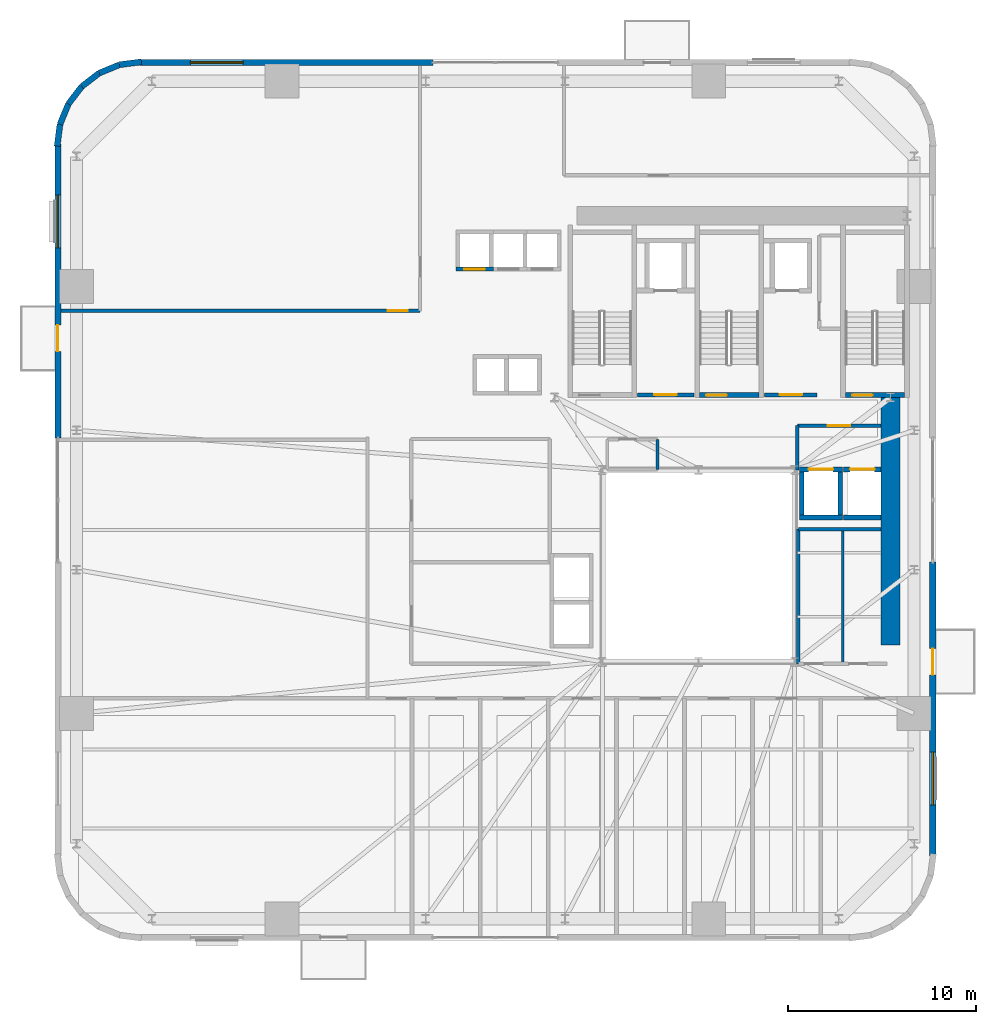
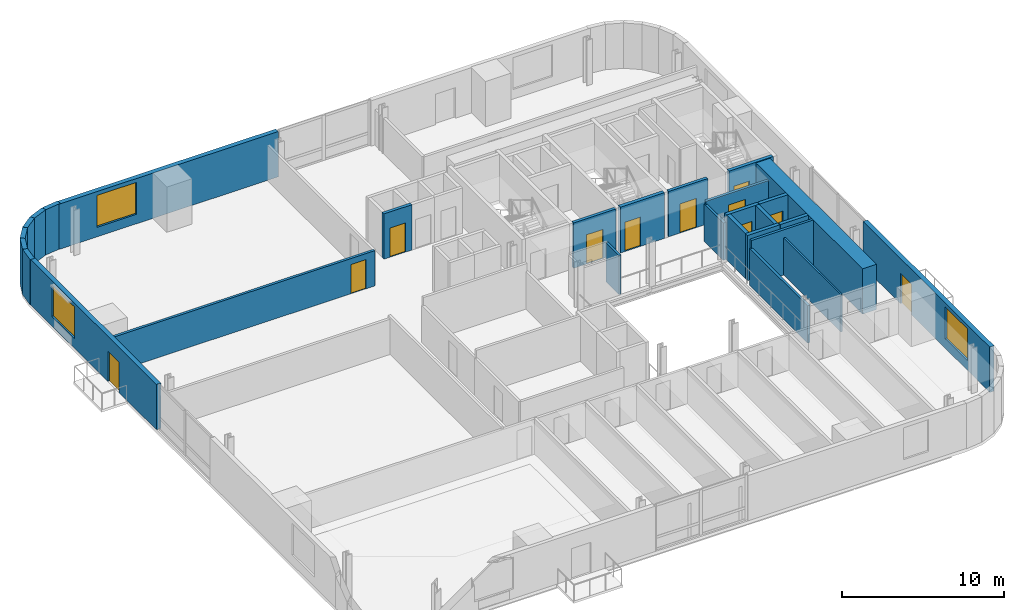
# One storey, part 7 of 13: 28 walls, 11 doors, 3 windows, 14 openings.
"""IFC4 building model written with IfcOpenShell, lengths in metres."""

from ifc_helpers import new_model, si_unit, direction, frame, frame_2d, origin, place, context, subcontext, project, spatial, rectangle, extrude, source, transform, mapped, material, layer, layer_set, type_object, element, fill, save


model = new_model("IFC4")

# Units and contexts
model_context = context("Model", 3, precision=1e-05, world=origin(), true_north=direction((0.0, 1.0)))
body_context = subcontext(model_context, "Body", "Model", "MODEL_VIEW")
ifc_project = project(units=[si_unit("LENGTHUNIT", "METRE"), si_unit("AREAUNIT", "SQUARE_METRE"), si_unit("VOLUMEUNIT", "CUBIC_METRE"), si_unit("PLANEANGLEUNIT", "RADIAN"), si_unit("MASSUNIT", "GRAM", prefix="KILO")], contexts=[model_context])

# Site, building, storey
site_placement = place(None, origin())
site = spatial("IfcSite", under=ifc_project, at=site_placement, CompositionType="ELEMENT")
building_placement = place(site_placement, origin())
building = spatial("IfcBuilding", under=site, at=building_placement, Name="Vardaveli Station Tower", CompositionType="ELEMENT")
storey_placement = place(building_placement, frame((0.0, 0.0, 64.10009765625)))
storey = spatial("IfcBuildingStorey", under=building, at=storey_placement, Name="L16", CompositionType="ELEMENT", Elevation=64.10009765625)

# Wall
ifc_material_1 = material(Name="Concrete C60/75", Category="concrete")
ifc_layer_1 = layer(ifc_material_1, 1.0, Name="Concrete C60/75")
ifc_layer_set_1 = layer_set([ifc_layer_1], Name="Concrete C60/75")
wall_type_1 = type_object("IfcWallType", Name="WAL-CORE-1000", PredefinedType="SHEAR", material=ifc_layer_set_1)
shared_shape_1 = source(origin(), body_context, "Body", "SweptSolid", [
    extrude(rectangle(XDim=13.14990234375, YDim=1.0, at=frame_2d((6.574951171875, 0.0))), origin(), (0.0, 0.0, 1.0), 3.409912109375),
])
wall_1_placement = place(storey_placement, frame((46.5, 17.5, 0.0), z_axis=(0.0, 0.0, 1.0), x_axis=(0.0, 1.0, 0.0)))
element("IfcWall", 1, at=wall_1_placement, inside=storey, type_object=wall_type_1, Name="SW-L16-EAST2", PredefinedType="SHEAR", context=body_context, shape_type="MappedRepresentation", body=[
    mapped(shared_shape_1, transform((0.0, 0.0, 0.0), scale=1.0)),
])

# Wall, opening, window
ifc_material_2 = material(Name="Precast concrete C45/55", Category="concrete")
ifc_layer_2 = layer(ifc_material_2, 0.320068359375, Name="Precast concrete C45/55")
ifc_layer_set_2 = layer_set([ifc_layer_2], Name="Precast concrete C45/55")
wall_type_2 = type_object("IfcWallType", Name="WAL-EXT-STONE-320", PredefinedType="SOLIDWALL", material=ifc_layer_set_2)
shared_shape_2 = source(origin(), body_context, "Body", "SweptSolid", [
    extrude(rectangle(XDim=15.599853515625, YDim=0.320068359375, at=frame_2d((7.7998046875, 0.0))), origin(), (0.0, 0.0, 1.0), 3.409912109375),
])
wall_2_placement = place(storey_placement, frame((22.199951171875, 48.43994140625, 0.0), z_axis=(0.0, 0.0, 1.0), x_axis=(-1.0, 0.0, 0.0)))
wall_2 = element("IfcWall", 2, at=wall_2_placement, inside=storey, type_object=wall_type_2, Name="EW-L16-N2", PredefinedType="SOLIDWALL", context=body_context, shape_type="MappedRepresentation", body=[
    mapped(shared_shape_2, transform((0.0, 0.0, 0.0), scale=1.0)),
])
shared_shape_3 = source(origin(), body_context, "Body", "SweptSolid", [
    extrude(rectangle(XDim=2.800048828125, YDim=2.39990234375, at=frame_2d((1.39990234375, 1.199951171875))), frame((0.0, 0.169921875, 0.0), z_axis=(0.0, -1.0, 0.0), x_axis=(1.0, 0.0, 0.0)), (0.0, 0.0, 1.0), 0.340087890625),
])
opening_1_placement = place(wall_2_placement, frame((10.094970703125, 0.0, 0.719970703125)))
opening_1 = element("IfcOpeningElement", 3, at=opening_1_placement, cuts=wall_2, Name="Opening W-04", PredefinedType="OPENING", context=body_context, shape_type="MappedRepresentation", body=[
    mapped(shared_shape_3, transform((0.0, 0.0, 0.0), scale=1.0)),
])
ifc_material_3 = material(Name="Low-E solar-control glass", Category="glass")
window_type = type_object("IfcWindowType", Name="WIN-SUITE-2800x2400", PartitioningType="SINGLE_PANEL", PredefinedType="WINDOW", material=ifc_material_3)
shared_shape_4 = source(origin(), body_context, "Body", "SweptSolid", [
    extrude(rectangle(XDim=2.800048828125, YDim=2.39990234375, at=frame_2d((1.39990234375, 1.199951171875))), frame((0.0, 0.030029296875, 0.0), z_axis=(0.0, -1.0, 0.0), x_axis=(1.0, 0.0, 0.0)), (0.0, 0.0, 1.0), 0.06005859375),
])
window_1_placement = place(opening_1_placement, origin())
window_1 = element("IfcWindow", 4, at=window_1_placement, inside=storey, type_object=window_type, Name="WN-L16-N2", OverallHeight=2.39990234375, OverallWidth=2.800048828125, PartitioningType="SINGLE_PANEL", PredefinedType="WINDOW", context=body_context, shape_type="MappedRepresentation", body=[
    mapped(shared_shape_4, transform((0.0, 0.0, 0.0), scale=1.0)),
])
fill(opening_1, window_1)

# Wall, openings, door, window
wall_3_placement = place(storey_placement, frame((48.739990234375, 6.300048828125, 0.0), z_axis=(0.0, 0.0, 1.0), x_axis=(0.0, 1.0, 0.0)))
wall_3 = element("IfcWall", 5, at=wall_3_placement, inside=storey, type_object=wall_type_2, Name="EW-L16-E1", PredefinedType="SOLIDWALL", context=body_context, shape_type="MappedRepresentation", body=[
    mapped(shared_shape_2, transform((0.0, 0.0, 0.0), scale=1.0)),
])
shared_shape_5 = source(origin(), body_context, "Body", "SweptSolid", [
    extrude(rectangle(XDim=1.39990234375, YDim=2.300048828125, at=frame_2d((0.699951171875, 1.14990234375))), frame((0.0, 0.169921875, 0.0), z_axis=(0.0, -1.0, 0.0), x_axis=(1.0, 0.0, 0.0)), (0.0, 0.0, 1.0), 0.340087890625),
])
opening_2_placement = place(wall_3_placement, frame((9.6103515625, 0.0, 0.0)))
opening_2 = element("IfcOpeningElement", 6, at=opening_2_placement, cuts=wall_3, Name="Opening D-09", PredefinedType="OPENING", context=body_context, shape_type="MappedRepresentation", body=[
    mapped(shared_shape_5, transform((0.0, 0.0, 0.0), scale=1.0)),
])
opening_3_placement = place(wall_3_placement, frame((2.705078125, 0.0, 0.719970703125)))
opening_3 = element("IfcOpeningElement", 7, at=opening_3_placement, cuts=wall_3, Name="Opening W-04", PredefinedType="OPENING", context=body_context, shape_type="MappedRepresentation", body=[
    mapped(shared_shape_3, transform((0.0, 0.0, 0.0), scale=1.0)),
])
ifc_material_4 = material(Name="Thermally broken aluminium glass", Category="aluminium")
door_type_1 = type_object("IfcDoorType", Name="DR-LOG-1400x2300", OperationType="DOUBLE_DOOR_SLIDING", PredefinedType="DOOR", material=ifc_material_4)
shared_shape_6 = source(origin(), body_context, "Body", "SweptSolid", [
    extrude(rectangle(XDim=1.39990234375, YDim=2.300048828125, at=frame_2d((0.699951171875, 1.14990234375))), frame((0.0, 0.02490234375, 0.0), z_axis=(0.0, -1.0, 0.0), x_axis=(1.0, 0.0, 0.0)), (0.0, 0.0, 1.0), 0.050048828125),
])
door_1_placement = place(opening_2_placement, frame((1.39990234375, 0.0, 0.0), z_axis=(0.0, 0.0, 1.0), x_axis=(-1.0, 0.0, 0.0)))
door_1 = element("IfcDoor", 8, at=door_1_placement, inside=storey, type_object=door_type_1, Name="DLG-L16-E", OperationType="DOUBLE_DOOR_SLIDING", OverallHeight=2.300048828125, OverallWidth=1.39990234375, PredefinedType="DOOR", context=body_context, shape_type="MappedRepresentation", body=[
    mapped(shared_shape_6, transform((0.0, 0.0, 0.0), scale=1.0)),
])
fill(opening_2, door_1)
window_2_placement = place(opening_3_placement, origin())
window_2 = element("IfcWindow", 9, at=window_2_placement, inside=storey, type_object=window_type, Name="WN-L16-E1", OverallHeight=2.39990234375, OverallWidth=2.800048828125, PartitioningType="SINGLE_PANEL", PredefinedType="WINDOW", context=body_context, shape_type="MappedRepresentation", body=[
    mapped(shared_shape_4, transform((0.0, 0.0, 0.0), scale=1.0)),
])
fill(opening_3, window_2)

shared_shape_7 = source(origin(), body_context, "Body", "SweptSolid", [
    extrude(rectangle(XDim=15.60009765625, YDim=0.320068359375, at=frame_2d((7.800048828125, 0.0))), origin(), (0.0, 0.0, 1.0), 3.409912109375),
])
wall_4_placement = place(storey_placement, frame((2.260009765625, 44.10009765625, 0.0), z_axis=(0.0, 0.0, 1.0), x_axis=(0.0, -1.0, 0.0)))
wall_4 = element("IfcWall", 10, at=wall_4_placement, inside=storey, type_object=wall_type_2, Name="EW-L16-W1", PredefinedType="SOLIDWALL", context=body_context, shape_type="MappedRepresentation", body=[
    mapped(shared_shape_7, transform((0.0, 0.0, 0.0), scale=1.0)),
])
opening_4_placement = place(wall_4_placement, frame((9.6103515625, 0.0, 0.0)))
opening_4 = element("IfcOpeningElement", 11, at=opening_4_placement, cuts=wall_4, Name="Opening D-09", PredefinedType="OPENING", context=body_context, shape_type="MappedRepresentation", body=[
    mapped(shared_shape_5, transform((0.0, 0.0, 0.0), scale=1.0)),
])
opening_5_placement = place(wall_4_placement, frame((2.705078125, 0.0, 0.719970703125)))
opening_5 = element("IfcOpeningElement", 12, at=opening_5_placement, cuts=wall_4, Name="Opening W-04", PredefinedType="OPENING", context=body_context, shape_type="MappedRepresentation", body=[
    mapped(shared_shape_3, transform((0.0, 0.0, 0.0), scale=1.0)),
])
door_2_placement = place(opening_4_placement, frame((1.39990234375, 0.0, 0.0), z_axis=(0.0, 0.0, 1.0), x_axis=(-1.0, 0.0, 0.0)))
door_2 = element("IfcDoor", 13, at=door_2_placement, inside=storey, type_object=door_type_1, Name="DLG-L16-W", OperationType="DOUBLE_DOOR_SLIDING", OverallHeight=2.300048828125, OverallWidth=1.39990234375, PredefinedType="DOOR", context=body_context, shape_type="MappedRepresentation", body=[
    mapped(shared_shape_6, transform((0.0, 0.0, 0.0), scale=1.0)),
])
fill(opening_4, door_2)
window_3_placement = place(opening_5_placement, origin())
window_3 = element("IfcWindow", 14, at=window_3_placement, inside=storey, type_object=window_type, Name="WN-L16-W1", OverallHeight=2.39990234375, OverallWidth=2.800048828125, PartitioningType="SINGLE_PANEL", PredefinedType="WINDOW", context=body_context, shape_type="MappedRepresentation", body=[
    mapped(shared_shape_4, transform((0.0, 0.0, 0.0), scale=1.0)),
])
fill(opening_5, window_3)

# Walls
shared_shape_8 = source(origin(), body_context, "Body", "SweptSolid", [
    extrude(rectangle(XDim=1.1689453125, YDim=0.320068359375, at=frame_2d((0.58447265625, 0.0))), origin(), (0.0, 0.0, 1.0), 3.409912109375),
])
wall_5_placement = place(storey_placement, frame((3.53125, 47.1689453125, 0.0), z_axis=(0.0, 0.0, 1.0), x_axis=(-0.608387696831, -0.793639975269, 0.0)))
element("IfcWall", 15, at=wall_5_placement, inside=storey, type_object=wall_type_2, Name="EW-L16-CR4-4", PredefinedType="SOLIDWALL", context=body_context, shape_type="MappedRepresentation", body=[
    mapped(shared_shape_8, transform((0.0, 0.0, 0.0), scale=1.0)),
])
shared_shape_9 = source(origin(), body_context, "Body", "SweptSolid", [
    extrude(rectangle(XDim=1.168701171875, YDim=0.320068359375, at=frame_2d((0.58447265625, 0.0))), origin(), (0.0, 0.0, 1.0), 3.409912109375),
])
wall_6_placement = place(storey_placement, frame((4.458740234375, 47.8798828125, 0.0), z_axis=(0.0, 0.0, 1.0), x_axis=(-0.793663520347, -0.608356981114, 0.0)))
element("IfcWall", 16, at=wall_6_placement, inside=storey, type_object=wall_type_2, Name="EW-L16-CR4-3", PredefinedType="SOLIDWALL", context=body_context, shape_type="MappedRepresentation", body=[
    mapped(shared_shape_9, transform((0.0, 0.0, 0.0), scale=1.0)),
])
shared_shape_10 = source(origin(), body_context, "Body", "SweptSolid", [
    extrude(rectangle(XDim=1.17041015625, YDim=0.320068359375, at=frame_2d((0.585205078125, 0.0))), origin(), (0.0, 0.0, 1.0), 3.409912109375),
])
for number, where, z_axis, x_axis, name in (
    (17, (6.700439453125, 48.4755859375, 0.0), (0.0, 0.0, 1.0), (-0.991735963317, -0.128295670475, 0.0), "EW-L16-CR4-1"),
    (18, (2.37451171875, 45.16015625, 0.0), (0.0, 0.0, 1.0), (-0.128295670475, -0.991735963317, 0.0), "EW-L16-CR4-6"),
):
    element("IfcWall", number, at=place(storey_placement, frame(where, z_axis=z_axis, x_axis=x_axis)), inside=storey, type_object=wall_type_2, Name=name, PredefinedType="SOLIDWALL", context=body_context, shape_type="MappedRepresentation", body=[
        mapped(shared_shape_10, transform((0.0, 0.0, 0.0), scale=1.0)),
    ])
shared_shape_11 = source(origin(), body_context, "Body", "SweptSolid", [
    extrude(rectangle(XDim=1.169189453125, YDim=0.320068359375, at=frame_2d((0.58447265625, 0.0))), origin(), (0.0, 0.0, 1.0), 3.409912109375),
])
for number, where, z_axis, x_axis, name in (
    (19, (5.539794921875, 48.325439453125, 0.0), (0.0, 0.0, 1.0), (-0.924552646638, -0.381054331552, 0.0), "EW-L16-CR4-2"),
    (20, (2.820068359375, 46.2412109375, 0.0), (0.0, 0.0, 1.0), (-0.381054331552, -0.924552646638, 0.0), "EW-L16-CR4-5"),
):
    element("IfcWall", number, at=place(storey_placement, frame(where, z_axis=z_axis, x_axis=x_axis)), inside=storey, type_object=wall_type_2, Name=name, PredefinedType="SOLIDWALL", context=body_context, shape_type="MappedRepresentation", body=[
        mapped(shared_shape_11, transform((0.0, 0.0, 0.0), scale=1.0)),
    ])

# Wall, opening, door
ifc_material_5 = material(Name="Concrete C40/50", Category="concrete")
ifc_layer_3 = layer(ifc_material_5, 0.25, Name="Concrete C40/50")
ifc_layer_set_3 = layer_set([ifc_layer_3], Name="Concrete C40/50")
wall_type_3 = type_object("IfcWallType", Name="WAL-SHAFT-250", PredefinedType="SOLIDWALL", material=ifc_layer_set_3)
shared_shape_12 = source(origin(), body_context, "Body", "SweptSolid", [
    extrude(rectangle(XDim=3.14990234375, YDim=0.25, at=frame_2d((1.574951171875, 0.0))), origin(), (0.0, 0.0, 1.0), 3.449951171875),
])
wall_7_placement = place(storey_placement, frame((36.35009765625, 30.77490234375, 0.0), z_axis=(0.0, 0.0, 1.0), x_axis=(1.0, 0.0, 0.0)))
wall_7 = element("IfcWall", 21, at=wall_7_placement, inside=storey, type_object=wall_type_3, Name="W-L16-ST-2S", PredefinedType="SOLIDWALL", context=body_context, shape_type="MappedRepresentation", body=[
    mapped(shared_shape_12, transform((0.0, 0.0, 0.0), scale=1.0)),
])
shared_shape_13 = source(origin(), body_context, "Body", "SweptSolid", [
    extrude(rectangle(XDim=1.10009765625, YDim=2.199951171875, at=frame_2d((0.550048828125, 1.10009765625))), frame((0.0, 0.135009765625, 0.0), z_axis=(0.0, -1.0, 0.0), x_axis=(1.0, 0.0, 0.0)), (0.0, 0.0, 1.0), 0.27001953125),
])
opening_6_placement = place(wall_7_placement, frame((0.35009765625, 0.0, 0.0)))
opening_6 = element("IfcOpeningElement", 22, at=opening_6_placement, cuts=wall_7, Name="Opening D-04", PredefinedType="OPENING", context=body_context, shape_type="MappedRepresentation", body=[
    mapped(shared_shape_13, transform((0.0, 0.0, 0.0), scale=1.0)),
])
ifc_material_6 = material(Name="Steel smokeproof fire doorset", Category="steel")
door_type_2 = type_object("IfcDoorType", Name="DR-ST-1100x2200", OperationType="NOTDEFINED", PredefinedType="DOOR", material=ifc_material_6)
shared_shape_14 = source(origin(), body_context, "Body", "SweptSolid", [
    extrude(rectangle(XDim=1.10009765625, YDim=2.199951171875, at=frame_2d((0.550048828125, 1.10009765625))), frame((0.0, 0.02490234375, 0.0), z_axis=(0.0, -1.0, 0.0), x_axis=(1.0, 0.0, 0.0)), (0.0, 0.0, 1.0), 0.050048828125),
])
door_3_placement = place(opening_6_placement, origin())
door_3 = element("IfcDoor", 23, at=door_3_placement, inside=storey, type_object=door_type_2, Name="DST-2-L16", OperationType="SINGLE_SWING_LEFT", OverallHeight=2.199951171875, OverallWidth=1.10009765625, PredefinedType="DOOR", context=body_context, shape_type="MappedRepresentation", body=[
    mapped(shared_shape_14, transform((0.0, 0.0, 0.0), scale=1.0)),
])
fill(opening_6, door_3)

wall_8_placement = place(storey_placement, frame((44.10009765625, 30.77490234375, 0.0), z_axis=(0.0, 0.0, 1.0), x_axis=(1.0, 0.0, 0.0)))
wall_8 = element("IfcWall", 24, at=wall_8_placement, inside=storey, type_object=wall_type_3, Name="W-L16-ST-3S", PredefinedType="SOLIDWALL", context=body_context, shape_type="MappedRepresentation", body=[
    mapped(shared_shape_12, transform((0.0, 0.0, 0.0), scale=1.0)),
])
opening_7_placement = place(wall_8_placement, frame((0.35009765625, 0.0, 0.0)))
opening_7 = element("IfcOpeningElement", 25, at=opening_7_placement, cuts=wall_8, Name="Opening D-04", PredefinedType="OPENING", context=body_context, shape_type="MappedRepresentation", body=[
    mapped(shared_shape_13, transform((0.0, 0.0, 0.0), scale=1.0)),
])
door_4_placement = place(opening_7_placement, origin())
door_4 = element("IfcDoor", 26, at=door_4_placement, inside=storey, type_object=door_type_2, Name="DST-3-L16", OperationType="SINGLE_SWING_LEFT", OverallHeight=2.199951171875, OverallWidth=1.10009765625, PredefinedType="DOOR", context=body_context, shape_type="MappedRepresentation", body=[
    mapped(shared_shape_14, transform((0.0, 0.0, 0.0), scale=1.0)),
])
fill(opening_7, door_4)

ifc_layer_4 = layer(ifc_material_5, 0.219970703125, Name="Concrete C40/50")
ifc_layer_set_4 = layer_set([ifc_layer_4], Name="Concrete C40/50")
wall_type_4 = type_object("IfcWallType", Name="WAL-FFLOBBY-220", PredefinedType="SOLIDWALL", material=ifc_layer_set_4)
shared_shape_15 = source(origin(), body_context, "Body", "SweptSolid", [
    extrude(rectangle(XDim=3.0, YDim=0.219970703125, at=frame_2d((1.5, 0.0))), origin(), (0.0, 0.0, 1.0), 3.409912109375),
])
wall_9_placement = place(storey_placement, frame((33.050048828125, 30.780029296875, 0.0), z_axis=(0.0, 0.0, 1.0), x_axis=(1.0, 0.0, 0.0)))
wall_9 = element("IfcWall", 27, at=wall_9_placement, inside=storey, type_object=wall_type_4, Name="W-L16-FFL1S", PredefinedType="SOLIDWALL", context=body_context, shape_type="MappedRepresentation", body=[
    mapped(shared_shape_15, transform((0.0, 0.0, 0.0), scale=1.0)),
])
shared_shape_16 = source(origin(), body_context, "Body", "SweptSolid", [
    extrude(rectangle(XDim=1.199951171875, YDim=2.199951171875, at=frame_2d((0.60009765625, 1.10009765625))), frame((0.0, 0.1201171875, 0.0), z_axis=(0.0, -1.0, 0.0), x_axis=(1.0, 0.0, 0.0)), (0.0, 0.0, 1.0), 0.239990234375),
])
opening_8_placement = place(wall_9_placement, frame((0.89990234375, 0.0, 0.0)))
opening_8 = element("IfcOpeningElement", 28, at=opening_8_placement, cuts=wall_9, Name="Opening D-03", PredefinedType="OPENING", context=body_context, shape_type="MappedRepresentation", body=[
    mapped(shared_shape_16, transform((0.0, 0.0, 0.0), scale=1.0)),
])
door_type_3 = type_object("IfcDoorType", Name="DR-FFL-1200x2200", OperationType="NOTDEFINED", PredefinedType="DOOR", material=ifc_material_6)
shared_shape_17 = source(origin(), body_context, "Body", "SweptSolid", [
    extrude(rectangle(XDim=1.199951171875, YDim=2.199951171875, at=frame_2d((0.60009765625, 1.10009765625))), frame((0.0, 0.02490234375, 0.0), z_axis=(0.0, -1.0, 0.0), x_axis=(1.0, 0.0, 0.0)), (0.0, 0.0, 1.0), 0.050048828125),
])
door_5_placement = place(opening_8_placement, origin())
door_5 = element("IfcDoor", 29, at=door_5_placement, inside=storey, type_object=door_type_3, Name="DFFL1-L16", OperationType="SINGLE_SWING_LEFT", OverallHeight=2.199951171875, OverallWidth=1.199951171875, PredefinedType="DOOR", context=body_context, shape_type="MappedRepresentation", body=[
    mapped(shared_shape_17, transform((0.0, 0.0, 0.0), scale=1.0)),
])
fill(opening_8, door_5)

shared_shape_18 = source(origin(), body_context, "Body", "SweptSolid", [
    extrude(rectangle(XDim=2.800048828125, YDim=0.219970703125, at=frame_2d((1.39990234375, 0.0))), origin(), (0.0, 0.0, 1.0), 3.409912109375),
])
wall_10_placement = place(storey_placement, frame((39.800048828125, 30.780029296875, 0.0), z_axis=(0.0, 0.0, 1.0), x_axis=(1.0, 0.0, 0.0)))
wall_10 = element("IfcWall", 30, at=wall_10_placement, inside=storey, type_object=wall_type_4, Name="W-L16-FFL2S", PredefinedType="SOLIDWALL", context=body_context, shape_type="MappedRepresentation", body=[
    mapped(shared_shape_18, transform((0.0, 0.0, 0.0), scale=1.0)),
])
opening_9_placement = place(wall_10_placement, frame((0.800048828125, 0.0, 0.0)))
opening_9 = element("IfcOpeningElement", 31, at=opening_9_placement, cuts=wall_10, Name="Opening D-03", PredefinedType="OPENING", context=body_context, shape_type="MappedRepresentation", body=[
    mapped(shared_shape_16, transform((0.0, 0.0, 0.0), scale=1.0)),
])
door_6_placement = place(opening_9_placement, origin())
door_6 = element("IfcDoor", 32, at=door_6_placement, inside=storey, type_object=door_type_3, Name="DFFL2-L16", OperationType="SINGLE_SWING_RIGHT", OverallHeight=2.199951171875, OverallWidth=1.199951171875, PredefinedType="DOOR", context=body_context, shape_type="MappedRepresentation", body=[
    mapped(shared_shape_17, transform((0.0, 0.0, 0.0), scale=1.0)),
])
fill(opening_9, door_6)

shared_shape_19 = source(origin(), body_context, "Body", "SweptSolid", [
    extrude(rectangle(XDim=1.989990234375, YDim=0.219970703125, at=frame_2d((0.9951171875, 0.0))), origin(), (0.0, 0.0, 1.0), 3.409912109375),
])
wall_11_placement = place(storey_placement, frame((23.405029296875, 37.465087890625, 0.0), z_axis=(0.0, 0.0, 1.0), x_axis=(1.0, 0.0, 0.0)))
wall_11 = element("IfcWall", 33, at=wall_11_placement, inside=storey, type_object=wall_type_4, Name="SHW-HL1-01-L16-S", PredefinedType="SOLIDWALL", context=body_context, shape_type="MappedRepresentation", body=[
    mapped(shared_shape_19, transform((0.0, 0.0, 0.0), scale=1.0)),
])
shared_shape_20 = source(origin(), body_context, "Body", "SweptSolid", [
    extrude(rectangle(XDim=1.10009765625, YDim=2.199951171875, at=frame_2d((0.550048828125, 1.10009765625))), frame((0.0, 0.1201171875, 0.0), z_axis=(0.0, -1.0, 0.0), x_axis=(1.0, 0.0, 0.0)), (0.0, 0.0, 1.0), 0.239990234375),
])
opening_10_placement = place(wall_11_placement, frame((0.445068359375, 0.0, 0.0)))
opening_10 = element("IfcOpeningElement", 34, at=opening_10_placement, cuts=wall_11, Name="Opening LD-01", PredefinedType="OPENING", context=body_context, shape_type="MappedRepresentation", body=[
    mapped(shared_shape_20, transform((0.0, 0.0, 0.0), scale=1.0)),
])
ifc_material_7 = material(Name="Brushed stainless steel", Category="steel")
door_type_4 = type_object("IfcDoorType", Name="DR-LD-1100x2200", OperationType="DOUBLE_DOOR_SLIDING", PredefinedType="DOOR", material=ifc_material_7)
door_7_placement = place(opening_10_placement, origin())
door_7 = element("IfcDoor", 35, at=door_7_placement, inside=storey, type_object=door_type_4, Name="LD-HL1-01-L16", OperationType="DOUBLE_DOOR_SLIDING", OverallHeight=2.199951171875, OverallWidth=1.10009765625, PredefinedType="DOOR", context=body_context, shape_type="MappedRepresentation", body=[
    mapped(shared_shape_14, transform((0.0, 0.0, 0.0), scale=1.0)),
])
fill(opening_10, door_7)

# Wall
shared_shape_21 = source(origin(), body_context, "Body", "SweptSolid", [
    extrude(rectangle(XDim=2.300048828125, YDim=0.25, at=frame_2d((1.14990234375, 0.0))), origin(), (0.0, 0.0, 1.0), 3.409912109375),
])
wall_12_placement = place(storey_placement, frame((41.64990234375, 24.27490234375, 0.0), z_axis=(0.0, 0.0, 1.0), x_axis=(1.0, 0.0, 0.0)))
element("IfcWall", 36, at=wall_12_placement, inside=storey, type_object=wall_type_3, Name="SHW-SRV-01-L16-S", PredefinedType="SOLIDWALL", context=body_context, shape_type="MappedRepresentation", body=[
    mapped(shared_shape_21, transform((0.0, 0.0, 0.0), scale=1.0)),
])

# Wall, opening, door
wall_13_placement = place(storey_placement, frame((41.64990234375, 26.824951171875, 0.0), z_axis=(0.0, 0.0, 1.0), x_axis=(1.0, 0.0, 0.0)))
wall_13 = element("IfcWall", 37, at=wall_13_placement, inside=storey, type_object=wall_type_3, Name="SHW-SRV-01-L16-N", PredefinedType="SOLIDWALL", context=body_context, shape_type="MappedRepresentation", body=[
    mapped(shared_shape_21, transform((0.0, 0.0, 0.0), scale=1.0)),
])
shared_shape_22 = source(origin(), body_context, "Body", "SweptSolid", [
    extrude(rectangle(XDim=1.300048828125, YDim=2.300048828125, at=frame_2d((0.64990234375, 1.14990234375))), frame((0.0, 0.135009765625, 0.0), z_axis=(0.0, -1.0, 0.0), x_axis=(1.0, 0.0, 0.0)), (0.0, 0.0, 1.0), 0.27001953125),
])
opening_11_placement = place(wall_13_placement, frame((0.5, 0.0, 0.0)))
opening_11 = element("IfcOpeningElement", 38, at=opening_11_placement, cuts=wall_13, Name="Opening LD-03", PredefinedType="OPENING", context=body_context, shape_type="MappedRepresentation", body=[
    mapped(shared_shape_22, transform((0.0, 0.0, 0.0), scale=1.0)),
])
door_type_5 = type_object("IfcDoorType", Name="DR-LD-1300x2300", OperationType="DOUBLE_DOOR_SLIDING", PredefinedType="DOOR", material=ifc_material_7)
shared_shape_23 = source(origin(), body_context, "Body", "SweptSolid", [
    extrude(rectangle(XDim=1.300048828125, YDim=2.300048828125, at=frame_2d((0.64990234375, 1.14990234375))), frame((0.0, 0.02490234375, 0.0), z_axis=(0.0, -1.0, 0.0), x_axis=(1.0, 0.0, 0.0)), (0.0, 0.0, 1.0), 0.050048828125),
])
door_8_placement = place(opening_11_placement, origin())
door_8 = element("IfcDoor", 39, at=door_8_placement, inside=storey, type_object=door_type_5, Name="LD-SRV-01-L16", OperationType="DOUBLE_DOOR_SLIDING", OverallHeight=2.300048828125, OverallWidth=1.300048828125, PredefinedType="DOOR", context=body_context, shape_type="MappedRepresentation", body=[
    mapped(shared_shape_23, transform((0.0, 0.0, 0.0), scale=1.0)),
])
fill(opening_11, door_8)

# Walls
for number, where, z_axis, x_axis, name in (
    (40, (41.77490234375, 24.39990234375, 0.0), (0.0, 0.0, 1.0), (0.0, 1.0, 0.0), "SHW-SRV-01-L16-W"),
    (41, (43.824951171875, 24.39990234375, 0.0), (0.0, 0.0, 1.0), (0.0, 1.0, 0.0), "SHW-SRV-01-L16-E"),
):
    element("IfcWall", number, at=place(storey_placement, frame(where, z_axis=z_axis, x_axis=x_axis)), inside=storey, type_object=wall_type_3, Name=name, PredefinedType="SOLIDWALL", context=body_context, shape_type="MappedRepresentation", body=[
        mapped(shared_shape_21, transform((0.0, 0.0, 0.0), scale=1.0)),
    ])
shared_shape_24 = source(origin(), body_context, "Body", "SweptSolid", [
    extrude(rectangle(XDim=2.0, YDim=0.25, at=frame_2d((1.0, 0.0))), origin(), (0.0, 0.0, 1.0), 3.409912109375),
])
wall_14_placement = place(storey_placement, frame((44.0, 24.27490234375, 0.0), z_axis=(0.0, 0.0, 1.0), x_axis=(1.0, 0.0, 0.0)))
element("IfcWall", 42, at=wall_14_placement, inside=storey, type_object=wall_type_3, Name="SHW-SRV-02-L16-S", PredefinedType="SOLIDWALL", context=body_context, shape_type="MappedRepresentation", body=[
    mapped(shared_shape_24, transform((0.0, 0.0, 0.0), scale=1.0)),
])

# Wall, opening, door
wall_15_placement = place(storey_placement, frame((44.0, 26.824951171875, 0.0), z_axis=(0.0, 0.0, 1.0), x_axis=(1.0, 0.0, 0.0)))
wall_15 = element("IfcWall", 43, at=wall_15_placement, inside=storey, type_object=wall_type_3, Name="SHW-SRV-02-L16-N", PredefinedType="SOLIDWALL", context=body_context, shape_type="MappedRepresentation", body=[
    mapped(shared_shape_24, transform((0.0, 0.0, 0.0), scale=1.0)),
])
opening_12_placement = place(wall_15_placement, frame((0.35009765625, 0.0, 0.0)))
opening_12 = element("IfcOpeningElement", 44, at=opening_12_placement, cuts=wall_15, Name="Opening LD-03", PredefinedType="OPENING", context=body_context, shape_type="MappedRepresentation", body=[
    mapped(shared_shape_22, transform((0.0, 0.0, 0.0), scale=1.0)),
])
door_9_placement = place(opening_12_placement, origin())
door_9 = element("IfcDoor", 45, at=door_9_placement, inside=storey, type_object=door_type_5, Name="LD-SRV-02-L16", OperationType="DOUBLE_DOOR_SLIDING", OverallHeight=2.300048828125, OverallWidth=1.300048828125, PredefinedType="DOOR", context=body_context, shape_type="MappedRepresentation", body=[
    mapped(shared_shape_23, transform((0.0, 0.0, 0.0), scale=1.0)),
])
fill(opening_12, door_9)

ifc_material_8 = material(Name="Fire-rated gypsum stud partition")
ifc_layer_5 = layer(ifc_material_8, 0.179931640625, Name="Fire-rated gypsum stud partition")
ifc_layer_set_5 = layer_set([ifc_layer_5], Name="Fire-rated gypsum stud partition")
wall_type_5 = type_object("IfcWallType", Name="WAL-CORR-180", PredefinedType="PARTITIONING", material=ifc_layer_set_5)
shared_shape_25 = source(origin(), body_context, "Body", "SweptSolid", [
    extrude(rectangle(XDim=19.077880859375, YDim=0.179931640625, at=frame_2d((9.5390625, 0.0))), origin(), (0.0, 0.0, 1.0), 2.65185546875),
])
wall_16_placement = place(storey_placement, frame((2.422119140625, 35.25, 0.0), z_axis=(0.0, 0.0, 1.0), x_axis=(1.0, 0.0, 0.0)))
wall_16 = element("IfcWall", 46, at=wall_16_placement, inside=storey, type_object=wall_type_5, Name="W-L16-CNWS", PredefinedType="PARTITIONING", context=body_context, shape_type="MappedRepresentation", body=[
    mapped(shared_shape_25, transform((0.0, 0.0, 0.0), scale=1.0)),
])
shared_shape_26 = source(origin(), body_context, "Body", "SweptSolid", [
    extrude(rectangle(XDim=1.050048828125, YDim=2.199951171875, at=frame_2d((0.52490234375, 1.10009765625))), frame((0.0, 0.10009765625, 0.0), z_axis=(0.0, -1.0, 0.0), x_axis=(1.0, 0.0, 0.0)), (0.0, 0.0, 1.0), 0.199951171875),
])
opening_13_placement = place(wall_16_placement, frame((17.3779296875, 0.0, 0.0)))
opening_13 = element("IfcOpeningElement", 47, at=opening_13_placement, cuts=wall_16, Name="Opening D-05", PredefinedType="OPENING", context=body_context, shape_type="MappedRepresentation", body=[
    mapped(shared_shape_26, transform((0.0, 0.0, 0.0), scale=1.0)),
])
ifc_material_9 = material(Name="Walnut veneer acoustic fire door")
door_type_6 = type_object("IfcDoorType", Name="DR-SUITE-1050x2200", OperationType="NOTDEFINED", PredefinedType="DOOR", material=ifc_material_9)
shared_shape_27 = source(origin(), body_context, "Body", "SweptSolid", [
    extrude(rectangle(XDim=1.050048828125, YDim=2.199951171875, at=frame_2d((0.52490234375, 1.10009765625))), frame((0.0, 0.02490234375, 0.0), z_axis=(0.0, -1.0, 0.0), x_axis=(1.0, 0.0, 0.0)), (0.0, 0.0, 1.0), 0.050048828125),
])
door_10_placement = place(opening_13_placement, origin())
door_10 = element("IfcDoor", 48, at=door_10_placement, inside=storey, type_object=door_type_6, Name="D-L16-GNW1", OperationType="SINGLE_SWING_LEFT", OverallHeight=2.199951171875, OverallWidth=1.050048828125, PredefinedType="DOOR", context=body_context, shape_type="MappedRepresentation", body=[
    mapped(shared_shape_27, transform((0.0, 0.0, 0.0), scale=1.0)),
])
fill(opening_13, door_10)

shared_shape_28 = source(origin(), body_context, "Body", "SweptSolid", [
    extrude(rectangle(XDim=4.447998046875, YDim=0.179931640625, at=frame_2d((2.22412109375, 0.0))), origin(), (0.0, 0.0, 1.0), 3.0419921875),
])
wall_17_placement = place(storey_placement, frame((41.550048828125, 29.14990234375, 0.0), z_axis=(0.0, 0.0, 1.0), x_axis=(1.0, 0.0, 0.0)))
wall_17 = element("IfcWall", 49, at=wall_17_placement, inside=storey, type_object=wall_type_5, Name="W-L16-SVFN", PredefinedType="PARTITIONING", context=body_context, shape_type="MappedRepresentation", body=[
    mapped(shared_shape_28, transform((0.0, 0.0, 0.0), scale=1.0)),
])
shared_shape_29 = source(origin(), body_context, "Body", "SweptSolid", [
    extrude(rectangle(XDim=1.199951171875, YDim=2.199951171875, at=frame_2d((0.60009765625, 1.10009765625))), frame((0.0, 0.10009765625, 0.0), z_axis=(0.0, -1.0, 0.0), x_axis=(1.0, 0.0, 0.0)), (0.0, 0.0, 1.0), 0.199951171875),
])
opening_14_placement = place(wall_17_placement, frame((1.60009765625, 0.0, 0.0)))
opening_14 = element("IfcOpeningElement", 50, at=opening_14_placement, cuts=wall_17, Name="Opening D-03", PredefinedType="OPENING", context=body_context, shape_type="MappedRepresentation", body=[
    mapped(shared_shape_29, transform((0.0, 0.0, 0.0), scale=1.0)),
])
door_11_placement = place(opening_14_placement, origin())
door_11 = element("IfcDoor", 51, at=door_11_placement, inside=storey, type_object=door_type_3, Name="D-L16-SVF", OperationType="SINGLE_SWING_RIGHT", OverallHeight=2.199951171875, OverallWidth=1.199951171875, PredefinedType="DOOR", context=body_context, shape_type="MappedRepresentation", body=[
    mapped(shared_shape_17, transform((0.0, 0.0, 0.0), scale=1.0)),
])
fill(opening_14, door_11)

# Walls
shared_shape_30 = source(origin(), body_context, "Body", "SweptSolid", [
    extrude(rectangle(XDim=7.14990234375, YDim=0.179931640625, at=frame_2d((3.574951171875, 0.0))), origin(), (0.0, 0.0, 1.0), 2.802001953125),
])
wall_18_placement = place(storey_placement, frame((41.60009765625, 16.5, 0.0), z_axis=(0.0, 0.0, 1.0), x_axis=(0.0, 1.0, 0.0)))
element("IfcWall", 52, at=wall_18_placement, inside=storey, type_object=wall_type_5, Name="W-L16-ATE-W", PredefinedType="PARTITIONING", context=body_context, shape_type="MappedRepresentation", body=[
    mapped(shared_shape_30, transform((0.0, 0.0, 0.0), scale=1.0)),
])
shared_shape_31 = source(origin(), body_context, "Body", "SweptSolid", [
    extrude(rectangle(XDim=4.39794921875, YDim=0.179931640625, at=frame_2d((2.198974609375, 0.0))), origin(), (0.0, 0.0, 1.0), 3.409912109375),
])
wall_19_placement = place(storey_placement, frame((41.60009765625, 23.64990234375, 0.0), z_axis=(0.0, 0.0, 1.0), x_axis=(1.0, 0.0, 0.0)))
element("IfcWall", 53, at=wall_19_placement, inside=storey, type_object=wall_type_5, Name="W-L16-ATE-N", PredefinedType="PARTITIONING", context=body_context, shape_type="MappedRepresentation", body=[
    mapped(shared_shape_31, transform((0.0, 0.0, 0.0), scale=1.0)),
])
shared_shape_32 = source(origin(), body_context, "Body", "SweptSolid", [
    extrude(rectangle(XDim=2.349853515625, YDim=0.179931640625, at=frame_2d((1.1748046875, 0.0))), origin(), (0.0, 0.0, 1.0), 2.802001953125),
])
wall_20_placement = place(storey_placement, frame((41.550048828125, 26.800048828125, 0.0), z_axis=(0.0, 0.0, 1.0), x_axis=(0.0, 1.0, 0.0)))
element("IfcWall", 54, at=wall_20_placement, inside=storey, type_object=wall_type_5, Name="W-L16-SVFW", PredefinedType="PARTITIONING", context=body_context, shape_type="MappedRepresentation", body=[
    mapped(shared_shape_32, transform((0.0, 0.0, 0.0), scale=1.0)),
])
ifc_material_10 = material(Name="Gypsum board stud partition")
ifc_layer_6 = layer(ifc_material_10, 0.125, Name="Gypsum board stud partition")
ifc_layer_set_6 = layer_set([ifc_layer_6], Name="Gypsum board stud partition")
wall_type_6 = type_object("IfcWallType", Name="WAL-INT-125", PredefinedType="PARTITIONING", material=ifc_layer_set_6)
shared_shape_33 = source(origin(), body_context, "Body", "SweptSolid", [
    extrude(rectangle(XDim=7.14990234375, YDim=0.125, at=frame_2d((3.574951171875, 0.0))), origin(), (0.0, 0.0, 1.0), 2.802001953125),
])
wall_21_placement = place(storey_placement, frame((43.949951171875, 16.5, 0.0), z_axis=(0.0, 0.0, 1.0), x_axis=(0.0, 1.0, 0.0)))
element("IfcWall", 55, at=wall_21_placement, inside=storey, type_object=wall_type_6, Name="W-L16-ATEM", PredefinedType="PARTITIONING", context=body_context, shape_type="MappedRepresentation", body=[
    mapped(shared_shape_33, transform((0.0, 0.0, 0.0), scale=1.0)),
])
ifc_material_11 = material(Name="Moisture-resistant stud partition")
ifc_layer_7 = layer(ifc_material_11, 0.14990234375, Name="Moisture-resistant stud partition")
ifc_layer_set_7 = layer_set([ifc_layer_7], Name="Moisture-resistant stud partition")
wall_type_7 = type_object("IfcWallType", Name="WAL-WET-150", PredefinedType="PARTITIONING", material=ifc_layer_set_7)
shared_shape_34 = source(origin(), body_context, "Body", "SweptSolid", [
    extrude(rectangle(XDim=1.599853515625, YDim=0.14990234375, at=frame_2d((0.7998046875, 0.0))), origin(), (0.0, 0.0, 1.0), 2.951904296875),
])
wall_22_placement = place(storey_placement, frame((34.1201171875, 26.820068359375, 0.0), z_axis=(0.0, 0.0, 1.0), x_axis=(0.0, 1.0, 0.0)))
element("IfcWall", 56, at=wall_22_placement, inside=storey, type_object=wall_type_7, Name="W-L16-WCA1-E", PredefinedType="PARTITIONING", context=body_context, shape_type="MappedRepresentation", body=[
    mapped(shared_shape_34, transform((0.0, 0.0, 0.0), scale=1.0)),
])

save(model, "model.ifc")
